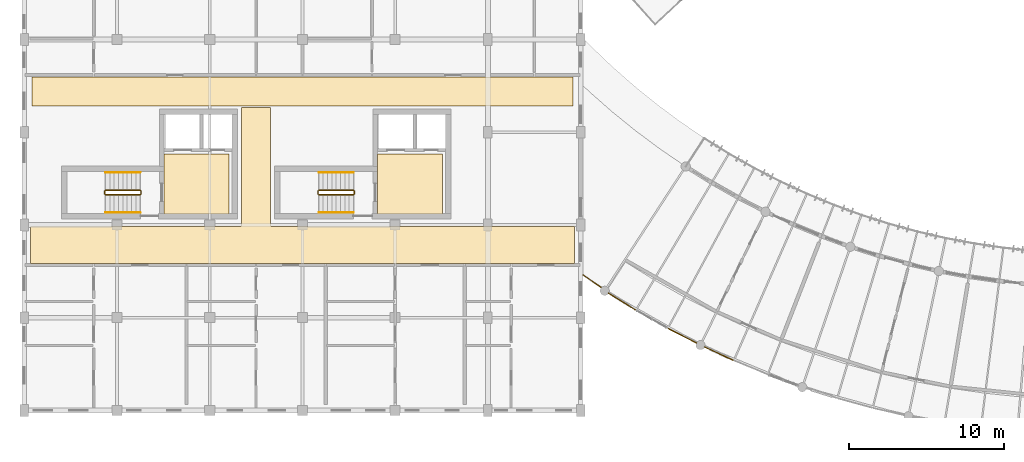
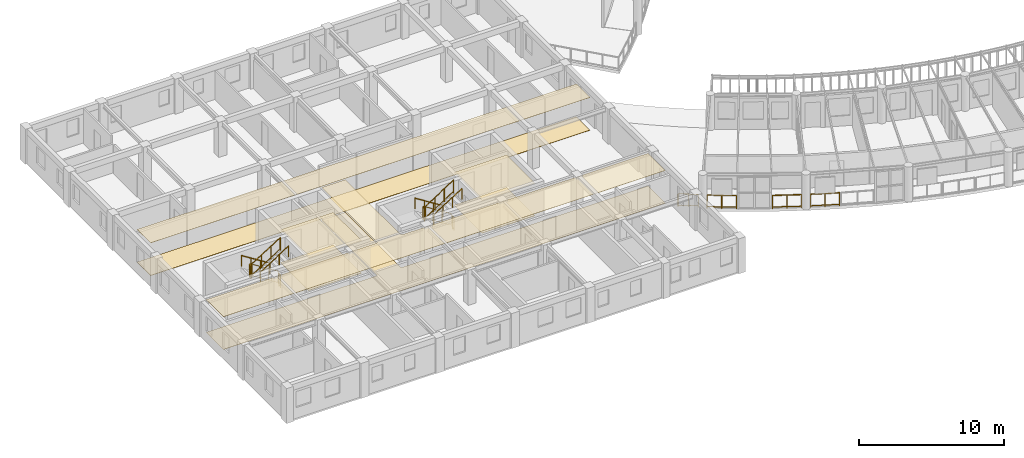
# One storey, part 88 of 100: 16 railings, 8 coverings.
"""IFC4 building model written with IfcOpenShell, lengths in metres."""

import ifcopenshell
import ifcopenshell.guid

model = None  # the IFC model being written
_history = None  # IfcOwnerHistory: only IFC2X3 demands one
_inside = {}  # id of a spatial element -> (the spatial element, [elements in it])
_under = {}  # id of a project, library or spatial element -> (it, [spatial elements below it])
_declared = {}  # id of a project -> (the project, [libraries it declares])
_typed = {}  # id of a type object -> (the type object, [elements of that type])
_made_of = {}  # id of a material, layer set ... -> (it, [elements and type objects made of it])


def new_model(schema):
    """Start an empty IFC model of exactly this schema.

    Asked for "IFC4X3", IfcOpenShell would pick the latest addendum, in which some entities
    have other attributes; the version numbers below select the first issue.
    IFC2X3 requires an IfcOwnerHistory on every rooted entity: one is made here for all.
    """
    global model, _history
    if schema == "IFC4X3":
        model = ifcopenshell.file(schema_version=(4, 3, 0, 0))
    else:
        model = ifcopenshell.file(schema=schema)
    _inside.clear()
    _under.clear()
    _declared.clear()
    _typed.clear()
    _made_of.clear()
    _history = None
    if model.schema == "IFC2X3":
        org = make("IfcOrganization", Name="unknown")
        user = make(
            "IfcPersonAndOrganization",
            ThePerson=make("IfcPerson", FamilyName="unknown"),
            TheOrganization=org,
        )
        app = make(
            "IfcApplication",
            ApplicationDeveloper=org,
            Version="unknown",
            ApplicationFullName="unknown",
            ApplicationIdentifier="unknown",
        )
        _history = make(
            "IfcOwnerHistory",
            OwningUser=user,
            OwningApplication=app,
            ChangeAction="ADDED",
            CreationDate=0,
        )
    return model


def make(cls, **values):
    """One entity of the class cls with the attributes given. An attribute that is None is left unset."""
    return model.create_entity(
        cls, **{name: value for name, value in values.items() if value is not None}
    )


def rooted(cls, **values):
    """An entity with a GlobalId (a new one), such as an element, a storey or a relation."""
    return make(cls, GlobalId=ifcopenshell.guid.new(), OwnerHistory=_history, **values)


def si_unit(unit_type, name, prefix=None):
    """IfcSIUnit, for example si_unit("LENGTHUNIT", "METRE", prefix="MILLI")."""
    return make("IfcSIUnit", UnitType=unit_type, Prefix=prefix, Name=name)


def assignment(units):
    """IfcUnitAssignment: the units of a project."""
    return None if units is None else make("IfcUnitAssignment", Units=units)


def point(xyz):
    """IfcCartesianPoint."""
    return None if xyz is None else make("IfcCartesianPoint", Coordinates=xyz)


def direction(xyz):
    """IfcDirection."""
    return None if xyz is None else make("IfcDirection", DirectionRatios=xyz)


def frame(location, z_axis=None, x_axis=None):
    """IfcAxis2Placement3D, a coordinate frame: its origin and axes. An axis left out is left unset."""
    return make(
        "IfcAxis2Placement3D",
        Location=point(location),
        Axis=direction(z_axis),
        RefDirection=direction(x_axis),
    )


def frame_2d(location, x_axis=None):
    """IfcAxis2Placement2D, a coordinate frame in the plane: its origin and x axis."""
    return make(
        "IfcAxis2Placement2D", Location=point(location), RefDirection=direction(x_axis)
    )


def origin():
    """The frame at (0, 0, 0) with its axes left unset."""
    return frame((0.0, 0.0, 0.0))


def origin_2d():
    """The frame at (0, 0) in the plane with its x axis left unset."""
    return frame_2d((0.0, 0.0))


def place(relative_to, where):
    """IfcLocalPlacement: puts the frame where relative to a parent placement (None: the world)."""
    return make(
        "IfcLocalPlacement", PlacementRelTo=relative_to, RelativePlacement=where
    )


def context(
    kind, dimensions, precision=None, world=None, true_north=None, identifier=None
):
    """IfcGeometricRepresentationContext, for example the 3D "Model" context."""
    return make(
        "IfcGeometricRepresentationContext",
        ContextIdentifier=identifier,
        ContextType=kind,
        CoordinateSpaceDimension=dimensions,
        Precision=precision,
        WorldCoordinateSystem=world,
        TrueNorth=true_north,
    )


def subcontext(parent, identifier, kind, view, scale=None):
    """IfcGeometricRepresentationSubContext, for example "Body" below "Model"."""
    return make(
        "IfcGeometricRepresentationSubContext",
        ContextIdentifier=identifier,
        ContextType=kind,
        ParentContext=parent,
        TargetScale=scale,
        TargetView=view,
    )


def project(units=None, contexts=None):
    """IfcProject with its units and contexts."""
    return rooted(
        "IfcProject",
        Name="project",
        RepresentationContexts=contexts,
        UnitsInContext=assignment(units),
    )


def spatial(cls, under=None, at=None, **own):
    """A site, building, storey or space (cls), placed at a placement, below another one or the project."""
    s = rooted(cls, ObjectPlacement=at, **own)
    if under is not None:
        _under.setdefault(under.id(), (under, []))[1].append(s)
    return s


def polyline(points):
    """IfcPolyline through the points."""
    return make("IfcPolyline", Points=[point(p) for p in points])


def profile(cls, at=None, kind="AREA", **sizes):
    """A parametric profile (cls). Its sizes go by their IFC names, for example OverallWidth=200.0."""
    return make(cls, ProfileType=kind, Position=at, **sizes)


def circle(**sizes):
    """IfcCircleProfileDef."""
    return profile("IfcCircleProfileDef", **sizes)


def outline(outer, holes=None, kind="AREA"):
    """IfcArbitraryClosedProfileDef: a profile drawn as a closed curve; with holes, ...WithVoids."""
    if holes is None:
        return make("IfcArbitraryClosedProfileDef", ProfileType=kind, OuterCurve=outer)
    return make(
        "IfcArbitraryProfileDefWithVoids",
        ProfileType=kind,
        OuterCurve=outer,
        InnerCurves=holes,
    )


def extrude(swept, where, along, depth):
    """IfcExtrudedAreaSolid: the profile swept, set in the frame where, extruded along a direction by depth."""
    return make(
        "IfcExtrudedAreaSolid",
        SweptArea=swept,
        Position=where,
        ExtrudedDirection=direction(along),
        Depth=depth,
    )


def shape(context_of_items, identifier, shape_type, items):
    """IfcShapeRepresentation: the items that make up one representation, for example the "Body"."""
    return make(
        "IfcShapeRepresentation",
        ContextOfItems=context_of_items,
        RepresentationIdentifier=identifier,
        RepresentationType=shape_type,
        Items=items,
    )


def material(Name=None, Category=None):
    """IfcMaterial."""
    return make("IfcMaterial", Name=Name, Category=Category)


def layer(
    of_material, thickness, ventilated=None, Name=None, Category=None, Priority=None
):
    """IfcMaterialLayer: one layer of a wall or slab, of a material (None: an air gap)."""
    return make(
        "IfcMaterialLayer",
        Material=of_material,
        LayerThickness=thickness,
        IsVentilated=ventilated,
        Name=Name,
        Category=Category,
        Priority=Priority,
    )


def layer_set(layers, Name=None):
    """IfcMaterialLayerSet."""
    return make("IfcMaterialLayerSet", MaterialLayers=layers, LayerSetName=Name)


def made_of(thing, what):
    """Note that an element or type object is made of a material, layer set ...; save() writes the relation."""
    if what is not None:
        _made_of.setdefault(what.id(), (what, []))[1].append(thing)
    return thing


def type_object(cls, material=None, **own):
    """A type object (cls), such as IfcWallType, which elements share."""
    return made_of(rooted(cls, **own), material)


def element(
    cls,
    number,
    at=None,
    inside=None,
    cuts=None,
    type_object=None,
    material=None,
    context=None,
    identifier="Body",
    shape_type=None,
    held_by="IfcProductDefinitionShape",
    body=None,
    shapes=None,
    **own,
):
    """One element of the class cls, such as IfcWall. Its Tag is "e" and its number.

    at: its placement. inside: the storey or other place that contains it. cuts: it is an
    opening in that element (IfcRelVoidsElement). A single representation is given by context,
    identifier, shape_type and body (its items); several are given by shapes. held_by: the class
    of the entity that holds the representations. save() writes the other relations.
    """
    e = rooted(cls, Tag="e%d" % number, ObjectPlacement=at, **own)
    if body is not None:
        shapes = [shape(context, identifier, shape_type, body)]
    if shapes is not None:
        e.Representation = make(held_by, Representations=shapes)
    if inside is not None:
        _inside.setdefault(inside.id(), (inside, []))[1].append(e)
    if cuts is not None:
        rooted(
            "IfcRelVoidsElement", RelatingBuildingElement=cuts, RelatedOpeningElement=e
        )
    if type_object is not None:
        _typed.setdefault(type_object.id(), (type_object, []))[1].append(e)
    return made_of(e, material)


def aggregate(whole, parts):
    """IfcRelAggregates: a whole, such as a stair, and the parts it consists of."""
    return rooted("IfcRelAggregates", RelatingObject=whole, RelatedObjects=parts)


def save(model, path):
    """Write the relations noted so far, then the file.

    IfcRelAggregates (storeys below a building ...), IfcRelContainedInSpatialStructure (elements
    in a storey), IfcRelDefinesByType, IfcRelAssociatesMaterial and IfcRelDeclares: one each for
    every whole, place, type object, material and project.
    """
    for whole, parts in _under.values():
        aggregate(whole, parts)
    for where, things in _inside.values():
        rooted(
            "IfcRelContainedInSpatialStructure",
            RelatedElements=things,
            RelatingStructure=where,
        )
    for kind, things in _typed.values():
        rooted("IfcRelDefinesByType", RelatedObjects=things, RelatingType=kind)
    for what, things in _made_of.values():
        rooted("IfcRelAssociatesMaterial", RelatedObjects=things, RelatingMaterial=what)
    for by, libraries in _declared.values():
        rooted("IfcRelDeclares", RelatingContext=by, RelatedDefinitions=libraries)
    model.write(path)


model = new_model("IFC4")

# Units and contexts
model_context = context("Model", 3, precision=1e-05, world=origin(), true_north=direction((0.0, 1.0)))
body_context = subcontext(model_context, "Body", "Model", "MODEL_VIEW")
ifc_project = project(units=[si_unit("LENGTHUNIT", "METRE"), si_unit("AREAUNIT", "SQUARE_METRE"), si_unit("VOLUMEUNIT", "CUBIC_METRE"), si_unit("PLANEANGLEUNIT", "RADIAN"), si_unit("MASSUNIT", "GRAM", prefix="KILO"), si_unit("POWERUNIT", "WATT"), si_unit("THERMODYNAMICTEMPERATUREUNIT", "KELVIN")], contexts=[model_context])

# Site, building, storey
site_placement = place(None, origin())
site = spatial("IfcSite", under=ifc_project, at=site_placement, CompositionType="ELEMENT")
building_placement = place(site_placement, origin())
building = spatial("IfcBuilding", under=site, at=building_placement, Name="Ruvembo Vaulted Housing Court", CompositionType="ELEMENT")
storey_placement = place(building_placement, frame((0.0, 0.0, 14.10009765625)))
storey = spatial("IfcBuildingStorey", under=building, at=storey_placement, Name="L04", CompositionType="ELEMENT", Elevation=14.10009765625)

# Coverings
ifc_material_1 = material(Name="Perforated Mineral-Fibre Acoustic Tile", Category="gypsum")
ifc_layer_1 = layer(ifc_material_1, 0.02001953125, Name="Perforated Mineral-Fibre Acoustic Tile")
ifc_layer_set_1 = layer_set([ifc_layer_1], Name="Perforated Mineral-Fibre Acoustic Tile")
covering_type_1 = type_object("IfcCoveringType", Name="COV-CEIL-ACOUST", PredefinedType="CEILING", material=ifc_layer_set_1)
covering_1_placement = place(storey_placement, frame((0.0, 0.0, 2.75)))
element("IfcCovering", 1, at=covering_1_placement, inside=storey, type_object=covering_type_1, Name="Firefighting Lift Lobby A1 Ceiling", PredefinedType="CEILING", context=body_context, shape_type="SweptSolid", body=[
    extrude(outline(polyline([(13.25, 22.60009765625), (9.050048828125, 22.60009765625), (9.050048828125, 18.699951171875), (13.25, 18.699951171875), (13.25, 22.60009765625)])), origin(), (0.0, 0.0, 1.0), 0.02001953125),
])
covering_2_placement = place(storey_placement, frame((0.0, 0.0, 2.75)))
element("IfcCovering", 2, at=covering_2_placement, inside=storey, type_object=covering_type_1, Name="Firefighting Lift Lobby A2 Ceiling", PredefinedType="CEILING", context=body_context, shape_type="SweptSolid", body=[
    extrude(outline(polyline([(27.050048828125, 22.60009765625), (22.85009765625, 22.60009765625), (22.85009765625, 18.699951171875), (27.050048828125, 18.699951171875), (27.050048828125, 22.60009765625)])), origin(), (0.0, 0.0, 1.0), 0.02001953125),
])
covering_3_placement = place(storey_placement, frame((0.0, 0.0, 2.75)))
element("IfcCovering", 3, at=covering_3_placement, inside=storey, type_object=covering_type_1, Name="Block A L04 Corridor Ceiling", PredefinedType="CEILING", context=body_context, shape_type="SweptSolid", body=[
    extrude(outline(polyline([(35.590087890625, 15.510009765625), (35.590087890625, 17.889892578125), (16.050048828125, 17.889892578125), (16.039306640625, 17.890380859375), (16.028564453125, 17.89208984375), (16.01806640625, 17.894775390625), (16.0078125, 17.8984375), (15.998046875, 17.903076171875), (15.989013671875, 17.908447265625), (15.980224609375, 17.9150390625), (15.97216796875, 17.922119140625), (15.965087890625, 17.93017578125), (15.95849609375, 17.93896484375), (15.952880859375, 17.947998046875), (15.948486328125, 17.9580078125), (15.944580078125, 17.968017578125), (15.942138671875, 17.978515625), (15.9404296875, 17.9892578125), (15.93994140625, 18.0), (15.93994140625, 25.590087890625), (14.06005859375, 25.590087890625), (14.06005859375, 18.0), (14.0595703125, 17.9892578125), (14.057861328125, 17.978515625), (14.055419921875, 17.968017578125), (14.051513671875, 17.9580078125), (14.047119140625, 17.947998046875), (14.04150390625, 17.93896484375), (14.034912109375, 17.93017578125), (14.02783203125, 17.922119140625), (14.019775390625, 17.9150390625), (14.010986328125, 17.908447265625), (14.001953125, 17.903076171875), (13.9921875, 17.8984375), (13.98193359375, 17.894775390625), (13.971435546875, 17.89208984375), (13.960693359375, 17.890380859375), (13.949951171875, 17.889892578125), (0.409912109375, 17.889892578125), (0.409912109375, 15.510009765625), (35.590087890625, 15.510009765625)])), origin(), (0.0, 0.0, 1.0), 0.02001953125),
])
covering_4_placement = place(storey_placement, frame((0.0, 0.0, 2.75)))
element("IfcCovering", 4, at=covering_4_placement, inside=storey, type_object=covering_type_1, Name="Block A L04 North Sub-Corridor Ceiling", PredefinedType="CEILING", context=body_context, shape_type="SweptSolid", body=[
    extrude(outline(polyline([(0.510009765625, 25.7099609375), (35.489990234375, 25.7099609375), (35.489990234375, 27.590087890625), (0.510009765625, 27.590087890625), (0.510009765625, 25.7099609375)])), origin(), (0.0, 0.0, 1.0), 0.02001953125),
])
ifc_material_2 = material(Name="Polished Cement-Aggregate Terrazzo", Category="stone")
ifc_layer_2 = layer(ifc_material_2, 0.02197265625, Name="Polished Cement-Aggregate Terrazzo")
ifc_layer_set_2 = layer_set([ifc_layer_2], Name="Polished Cement-Aggregate Terrazzo")
covering_type_2 = type_object("IfcCoveringType", Name="COV-FLR-CERAMIC", PredefinedType="FLOORING", material=ifc_layer_set_2)
covering_5_placement = place(storey_placement, origin())
element("IfcCovering", 5, at=covering_5_placement, inside=storey, type_object=covering_type_2, Name="Firefighting Lift Lobby A1 Flooring", PredefinedType="FLOORING", context=body_context, shape_type="SweptSolid", body=[
    extrude(outline(polyline([(13.25, 22.60009765625), (9.050048828125, 22.60009765625), (9.050048828125, 18.699951171875), (13.25, 18.699951171875), (13.25, 22.60009765625)])), origin(), (0.0, 0.0, 1.0), 0.02197265625),
])
covering_6_placement = place(storey_placement, origin())
element("IfcCovering", 6, at=covering_6_placement, inside=storey, type_object=covering_type_2, Name="Firefighting Lift Lobby A2 Flooring", PredefinedType="FLOORING", context=body_context, shape_type="SweptSolid", body=[
    extrude(outline(polyline([(27.050048828125, 22.60009765625), (22.85009765625, 22.60009765625), (22.85009765625, 18.699951171875), (27.050048828125, 18.699951171875), (27.050048828125, 22.60009765625)])), origin(), (0.0, 0.0, 1.0), 0.02197265625),
])
covering_7_placement = place(storey_placement, origin())
element("IfcCovering", 7, at=covering_7_placement, inside=storey, type_object=covering_type_2, Name="Block A L04 Corridor Flooring", PredefinedType="FLOORING", context=body_context, shape_type="SweptSolid", body=[
    extrude(outline(polyline([(35.590087890625, 15.510009765625), (35.590087890625, 17.889892578125), (16.050048828125, 17.889892578125), (16.039306640625, 17.890380859375), (16.028564453125, 17.89208984375), (16.01806640625, 17.894775390625), (16.0078125, 17.8984375), (15.998046875, 17.903076171875), (15.989013671875, 17.908447265625), (15.980224609375, 17.9150390625), (15.97216796875, 17.922119140625), (15.965087890625, 17.93017578125), (15.95849609375, 17.93896484375), (15.952880859375, 17.947998046875), (15.948486328125, 17.9580078125), (15.944580078125, 17.968017578125), (15.942138671875, 17.978515625), (15.9404296875, 17.9892578125), (15.93994140625, 18.0), (15.93994140625, 25.590087890625), (14.06005859375, 25.590087890625), (14.06005859375, 18.0), (14.0595703125, 17.9892578125), (14.057861328125, 17.978515625), (14.055419921875, 17.968017578125), (14.051513671875, 17.9580078125), (14.047119140625, 17.947998046875), (14.04150390625, 17.93896484375), (14.034912109375, 17.93017578125), (14.02783203125, 17.922119140625), (14.019775390625, 17.9150390625), (14.010986328125, 17.908447265625), (14.001953125, 17.903076171875), (13.9921875, 17.8984375), (13.98193359375, 17.894775390625), (13.971435546875, 17.89208984375), (13.960693359375, 17.890380859375), (13.949951171875, 17.889892578125), (0.409912109375, 17.889892578125), (0.409912109375, 15.510009765625), (35.590087890625, 15.510009765625)])), origin(), (0.0, 0.0, 1.0), 0.02197265625),
])
covering_8_placement = place(storey_placement, origin())
element("IfcCovering", 8, at=covering_8_placement, inside=storey, type_object=covering_type_2, Name="Block A L04 North Sub-Corridor Flooring", PredefinedType="FLOORING", context=body_context, shape_type="SweptSolid", body=[
    extrude(outline(polyline([(0.510009765625, 25.7099609375), (35.489990234375, 25.7099609375), (35.489990234375, 27.590087890625), (0.510009765625, 27.590087890625), (0.510009765625, 25.7099609375)])), origin(), (0.0, 0.0, 1.0), 0.02197265625),
])

# Railings
ifc_material_3 = material(Name="Galvanised Painted Steel and Laminated Glass", Category="steel")
ifc_layer_3 = layer(ifc_material_3, 0.070068359375, Name="Galvanised Painted Steel and Laminated Glass")
ifc_layer_set_3 = layer_set([ifc_layer_3], Name="Galvanised Painted Steel and Laminated Glass")
railing_type_1 = type_object("IfcRailingType", Name="RL-BALUST-1120", PredefinedType="BALUSTRADE", material=ifc_layer_set_3)
railing_1_placement = place(storey_placement, frame((37.806884765625, 13.583740234375, 0.0)))
element("IfcRailing", 9, at=railing_1_placement, inside=storey, type_object=railing_type_1, Name="L04 Perimeter Guard RL-EXT-L04-0422", PredefinedType="BALUSTRADE", context=body_context, shape_type="SweptSolid", body=[
    extrude(circle(Radius=0.02392578125, at=origin_2d()), frame((0.0, 0.0, 1.09619140625), z_axis=(0.848924451605, -0.528514215009, 0.0), x_axis=(0.528514215009, 0.848924451605, 0.0)), (0.0, 0.0, 1.0), 2.026123046875),
    extrude(circle(Radius=0.01806640625, at=origin_2d()), frame((0.0, 0.0, 0.1201171875), z_axis=(0.848924451605, -0.528514215009, 0.0), x_axis=(0.528514215009, 0.848924451605, 0.0)), (0.0, 0.0, 1.0), 2.026123046875),
    extrude(circle(Radius=0.02099609375, at=origin_2d()), origin(), (0.0, 0.0, 1.0), 1.072021484375),
    extrude(circle(Radius=0.02099609375, at=origin_2d()), frame((0.85986328125, -0.535400390625, 0.0)), (0.0, 0.0, 1.0), 1.072021484375),
    extrude(circle(Radius=0.02099609375, at=origin_2d()), frame((1.719970703125, -1.07080078125, 0.0)), (0.0, 0.0, 1.0), 1.072021484375),
])
railing_2_placement = place(storey_placement, frame((41.6806640625, 11.2919921875, 0.0)))
element("IfcRailing", 10, at=railing_2_placement, inside=storey, type_object=railing_type_1, Name="L04 Perimeter Guard RL-EXT-L04-0423", PredefinedType="BALUSTRADE", context=body_context, shape_type="SweptSolid", body=[
    extrude(circle(Radius=0.02392578125, at=origin_2d()), frame((0.0, 0.0, 1.09619140625), z_axis=(0.889555106825, -0.456827879975, 0.0), x_axis=(0.456827879975, 0.889555106825, 0.0)), (0.0, 0.0, 1.0), 2.026123046875),
    extrude(circle(Radius=0.01806640625, at=origin_2d()), frame((0.0, 0.0, 0.1201171875), z_axis=(0.889555106825, -0.456827879975, 0.0), x_axis=(0.456827879975, 0.889555106825, 0.0)), (0.0, 0.0, 1.0), 2.026123046875),
    extrude(circle(Radius=0.02099609375, at=origin_2d()), origin(), (0.0, 0.0, 1.0), 1.072021484375),
    extrude(circle(Radius=0.02099609375, at=origin_2d()), frame((0.901123046875, -0.462890625, 0.0)), (0.0, 0.0, 1.0), 1.072021484375),
    extrude(circle(Radius=0.02099609375, at=origin_2d()), frame((1.80224609375, -0.925537109375, 0.0)), (0.0, 0.0, 1.0), 1.072021484375),
])
railing_3_placement = place(storey_placement, frame((44.022216796875, 10.103515625, 0.0)))
element("IfcRailing", 11, at=railing_3_placement, inside=storey, type_object=railing_type_1, Name="L04 Perimeter Guard RL-EXT-L04-0424", PredefinedType="BALUSTRADE", context=body_context, shape_type="SweptSolid", body=[
    extrude(circle(Radius=0.02392578125, at=origin_2d()), frame((0.0, 0.0, 1.09619140625), z_axis=(0.907652291294, -0.419722906343, 0.0), x_axis=(0.419722906343, 0.907652291294, 0.0)), (0.0, 0.0, 1.0), 2.02587890625),
    extrude(circle(Radius=0.01806640625, at=origin_2d()), frame((0.0, 0.0, 0.1201171875), z_axis=(0.907652291294, -0.419722906343, 0.0), x_axis=(0.419722906343, 0.907652291294, 0.0)), (0.0, 0.0, 1.0), 2.02587890625),
    extrude(circle(Radius=0.02099609375, at=origin_2d()), origin(), (0.0, 0.0, 1.0), 1.072021484375),
    extrude(circle(Radius=0.02099609375, at=origin_2d()), frame((0.91943359375, -0.42529296875, 0.0)), (0.0, 0.0, 1.0), 1.072021484375),
    extrude(circle(Radius=0.02099609375, at=origin_2d()), frame((1.8388671875, -0.850341796875, 0.0)), (0.0, 0.0, 1.0), 1.072021484375),
])
ifc_material_4 = material(Name="Galvanised Painted Steel S275", Category="steel")
ifc_layer_4 = layer(ifc_material_4, 0.06005859375, Name="Galvanised Painted Steel S275")
ifc_layer_set_4 = layer_set([ifc_layer_4], Name="Galvanised Painted Steel S275")
railing_type_2 = type_object("IfcRailingType", Name="RL-GUARD-1100", PredefinedType="GUARDRAIL", material=ifc_layer_set_4)
railing_4_placement = place(storey_placement, frame((37.322021484375, 13.9716796875, 0.0)))
element("IfcRailing", 12, at=railing_4_placement, inside=storey, type_object=railing_type_2, Name="L04 Perimeter Guard RL-EXT-L04-0914", PredefinedType="GUARDRAIL", context=body_context, shape_type="SweptSolid", body=[
    extrude(circle(Radius=0.02392578125, at=origin_2d()), frame((0.0, 0.0, 1.076171875), z_axis=(-0.826253217327, 0.563298873474, 0.0), x_axis=(-0.563298873474, -0.826253217327, 0.0)), (0.0, 0.0, 1.0), 1.397216796875),
    extrude(circle(Radius=0.01806640625, at=origin_2d()), frame((0.0, 0.0, 0.1201171875), z_axis=(-0.826253217327, 0.563298873474, 0.0), x_axis=(-0.563298873474, -0.826253217327, 0.0)), (0.0, 0.0, 1.0), 1.397216796875),
    extrude(circle(Radius=0.02099609375, at=origin_2d()), origin(), (0.0, 0.0, 1.0), 1.052001953125),
    extrude(circle(Radius=0.02099609375, at=origin_2d()), frame((-0.5771484375, 0.3935546875, 0.0)), (0.0, 0.0, 1.0), 1.052001953125),
    extrude(circle(Radius=0.02099609375, at=origin_2d()), frame((-1.154541015625, 0.787109375, 0.0)), (0.0, 0.0, 1.0), 1.052001953125),
])
ifc_material_5 = material(Name="Painted Galvanised Steel S275", Category="steel")
ifc_layer_5 = layer(ifc_material_5, 0.06005859375, Name="Painted Galvanised Steel S275")
ifc_layer_set_5 = layer_set([ifc_layer_5], Name="Painted Galvanised Steel S275")
railing_type_3 = type_object("IfcRailingType", Name="RL-STAIR-GR1100", PredefinedType="GUARDRAIL", material=ifc_layer_set_5)
railing_5_placement = place(storey_placement, frame((7.5, 20.25, 0.177734375)))
element("IfcRailing", 13, at=railing_5_placement, inside=storey, type_object=railing_type_3, Name="L04 ST-A1 stair guard 1", PredefinedType="GUARDRAIL", context=body_context, shape_type="SweptSolid", body=[
    extrude(circle(Radius=0.02392578125, at=origin_2d()), frame((0.0, 0.0, 1.076171875), z_axis=(-0.8442293374, 0.0, 0.53598211339), x_axis=(0.0, -1.0, 0.0)), (0.0, 0.0, 1.0), 2.6533203125),
    extrude(circle(Radius=0.01806640625, at=origin_2d()), frame((0.0, 0.0, 0.1201171875), z_axis=(-0.8442293374, 0.0, 0.53598211339), x_axis=(0.0, -1.0, 0.0)), (0.0, 0.0, 1.0), 2.6533203125),
    extrude(circle(Radius=0.02099609375, at=origin_2d()), origin(), (0.0, 0.0, 1.0), 1.052001953125),
    extrude(circle(Radius=0.02099609375, at=origin_2d()), frame((-0.74658203125, 0.0, 0.47412109375)), (0.0, 0.0, 1.0), 1.052001953125),
    extrude(circle(Radius=0.02099609375, at=origin_2d()), frame((-1.493408203125, 0.0, 0.947998046875)), (0.0, 0.0, 1.0), 1.052001953125),
    extrude(circle(Radius=0.02099609375, at=origin_2d()), frame((-2.239990234375, 0.0, 1.422119140625)), (0.0, 0.0, 1.0), 1.052001953125),
])
railing_6_placement = place(storey_placement, frame((5.2099609375, 20.199951171875, 1.599853515625)))
element("IfcRailing", 14, at=railing_6_placement, inside=storey, type_object=railing_type_3, Name="L04 ST-A1 stair guard 2", PredefinedType="GUARDRAIL", context=body_context, shape_type="SweptSolid", body=[
    extrude(circle(Radius=0.02392578125, at=origin_2d()), frame((0.0, 0.0, 1.076171875), z_axis=(0.0, -1.0, 0.0), x_axis=(1.0, 0.0, 0.0)), (0.0, 0.0, 1.0), 0.199951171875),
    extrude(circle(Radius=0.01806640625, at=origin_2d()), frame((0.0, 0.0, 0.1201171875), z_axis=(0.0, -1.0, 0.0), x_axis=(1.0, 0.0, 0.0)), (0.0, 0.0, 1.0), 0.199951171875),
    extrude(circle(Radius=0.02099609375, at=origin_2d()), origin(), (0.0, 0.0, 1.0), 1.052001953125),
    extrude(circle(Radius=0.02099609375, at=origin_2d()), frame((0.0, -0.199951171875, 0.0)), (0.0, 0.0, 1.0), 1.052001953125),
])
railing_7_placement = place(storey_placement, frame((5.260009765625, 19.949951171875, 1.777587890625)))
element("IfcRailing", 15, at=railing_7_placement, inside=storey, type_object=railing_type_3, Name="L04 ST-A1 stair guard 3", PredefinedType="GUARDRAIL", context=body_context, shape_type="SweptSolid", body=[
    extrude(circle(Radius=0.02392578125, at=origin_2d()), frame((0.0, 0.0, 1.076171875), z_axis=(0.84418770128, 0.0, 0.536047689118), x_axis=(0.0, 1.0, 0.0)), (0.0, 0.0, 1.0), 2.6533203125),
    extrude(circle(Radius=0.01806640625, at=origin_2d()), frame((0.0, 0.0, 0.1201171875), z_axis=(0.84418770128, 0.0, 0.536047689118), x_axis=(0.0, 1.0, 0.0)), (0.0, 0.0, 1.0), 2.6533203125),
    extrude(circle(Radius=0.02099609375, at=origin_2d()), origin(), (0.0, 0.0, 1.0), 1.052001953125),
    extrude(circle(Radius=0.02099609375, at=origin_2d()), frame((0.74658203125, 0.0, 0.47412109375)), (0.0, 0.0, 1.0), 1.052001953125),
    extrude(circle(Radius=0.02099609375, at=origin_2d()), frame((1.493408203125, 0.0, 0.9482421875)), (0.0, 0.0, 1.0), 1.052001953125),
    extrude(circle(Radius=0.02099609375, at=origin_2d()), frame((2.239990234375, 0.0, 1.42236328125)), (0.0, 0.0, 1.0), 1.052001953125),
])
railing_8_placement = place(storey_placement, frame((7.550048828125, 20.199951171875, 0.0)))
element("IfcRailing", 16, at=railing_8_placement, inside=storey, type_object=railing_type_3, Name="L04 ST-A1 stair guard 4", PredefinedType="GUARDRAIL", context=body_context, shape_type="SweptSolid", body=[
    extrude(circle(Radius=0.02392578125, at=origin_2d()), frame((0.0, 0.0, 1.076171875), z_axis=(0.0, -1.0, 0.0), x_axis=(1.0, 0.0, 0.0)), (0.0, 0.0, 1.0), 0.199951171875),
    extrude(circle(Radius=0.01806640625, at=origin_2d()), frame((0.0, 0.0, 0.1201171875), z_axis=(0.0, -1.0, 0.0), x_axis=(1.0, 0.0, 0.0)), (0.0, 0.0, 1.0), 0.199951171875),
    extrude(circle(Radius=0.02099609375, at=origin_2d()), origin(), (0.0, 0.0, 1.0), 1.052001953125),
    extrude(circle(Radius=0.02099609375, at=origin_2d()), frame((0.0, -0.199951171875, 0.0)), (0.0, 0.0, 1.0), 1.052001953125),
])
railing_9_placement = place(storey_placement, frame((21.300048828125, 20.25, 0.177734375)))
element("IfcRailing", 17, at=railing_9_placement, inside=storey, type_object=railing_type_3, Name="L04 ST-A2 stair guard 1", PredefinedType="GUARDRAIL", context=body_context, shape_type="SweptSolid", body=[
    extrude(circle(Radius=0.02392578125, at=origin_2d()), frame((0.0, 0.0, 1.076171875), z_axis=(-0.8442293374, 0.0, 0.53598211339), x_axis=(0.0, -1.0, 0.0)), (0.0, 0.0, 1.0), 2.6533203125),
    extrude(circle(Radius=0.01806640625, at=origin_2d()), frame((0.0, 0.0, 0.1201171875), z_axis=(-0.8442293374, 0.0, 0.53598211339), x_axis=(0.0, -1.0, 0.0)), (0.0, 0.0, 1.0), 2.6533203125),
    extrude(circle(Radius=0.02099609375, at=origin_2d()), origin(), (0.0, 0.0, 1.0), 1.052001953125),
    extrude(circle(Radius=0.02099609375, at=origin_2d()), frame((-0.74658203125, 0.0, 0.47412109375)), (0.0, 0.0, 1.0), 1.052001953125),
    extrude(circle(Radius=0.02099609375, at=origin_2d()), frame((-1.493408203125, 0.0, 0.947998046875)), (0.0, 0.0, 1.0), 1.052001953125),
    extrude(circle(Radius=0.02099609375, at=origin_2d()), frame((-2.239990234375, 0.0, 1.422119140625)), (0.0, 0.0, 1.0), 1.052001953125),
])
railing_10_placement = place(storey_placement, frame((19.010009765625, 20.199951171875, 1.599853515625)))
element("IfcRailing", 18, at=railing_10_placement, inside=storey, type_object=railing_type_3, Name="L04 ST-A2 stair guard 2", PredefinedType="GUARDRAIL", context=body_context, shape_type="SweptSolid", body=[
    extrude(circle(Radius=0.02392578125, at=origin_2d()), frame((0.0, 0.0, 1.076171875), z_axis=(0.0, -1.0, 0.0), x_axis=(1.0, 0.0, 0.0)), (0.0, 0.0, 1.0), 0.199951171875),
    extrude(circle(Radius=0.01806640625, at=origin_2d()), frame((0.0, 0.0, 0.1201171875), z_axis=(0.0, -1.0, 0.0), x_axis=(1.0, 0.0, 0.0)), (0.0, 0.0, 1.0), 0.199951171875),
    extrude(circle(Radius=0.02099609375, at=origin_2d()), origin(), (0.0, 0.0, 1.0), 1.052001953125),
    extrude(circle(Radius=0.02099609375, at=origin_2d()), frame((0.0, -0.199951171875, 0.0)), (0.0, 0.0, 1.0), 1.052001953125),
])
railing_11_placement = place(storey_placement, frame((19.06005859375, 19.949951171875, 1.777587890625)))
element("IfcRailing", 19, at=railing_11_placement, inside=storey, type_object=railing_type_3, Name="L04 ST-A2 stair guard 3", PredefinedType="GUARDRAIL", context=body_context, shape_type="SweptSolid", body=[
    extrude(circle(Radius=0.02392578125, at=origin_2d()), frame((0.0, 0.0, 1.076171875), z_axis=(0.84418770128, 0.0, 0.536047689118), x_axis=(0.0, 1.0, 0.0)), (0.0, 0.0, 1.0), 2.6533203125),
    extrude(circle(Radius=0.01806640625, at=origin_2d()), frame((0.0, 0.0, 0.1201171875), z_axis=(0.84418770128, 0.0, 0.536047689118), x_axis=(0.0, 1.0, 0.0)), (0.0, 0.0, 1.0), 2.6533203125),
    extrude(circle(Radius=0.02099609375, at=origin_2d()), origin(), (0.0, 0.0, 1.0), 1.052001953125),
    extrude(circle(Radius=0.02099609375, at=origin_2d()), frame((0.74658203125, 0.0, 0.47412109375)), (0.0, 0.0, 1.0), 1.052001953125),
    extrude(circle(Radius=0.02099609375, at=origin_2d()), frame((1.493408203125, 0.0, 0.9482421875)), (0.0, 0.0, 1.0), 1.052001953125),
    extrude(circle(Radius=0.02099609375, at=origin_2d()), frame((2.239990234375, 0.0, 1.42236328125)), (0.0, 0.0, 1.0), 1.052001953125),
])
railing_12_placement = place(storey_placement, frame((21.35009765625, 20.199951171875, 0.0)))
element("IfcRailing", 20, at=railing_12_placement, inside=storey, type_object=railing_type_3, Name="L04 ST-A2 stair guard 4", PredefinedType="GUARDRAIL", context=body_context, shape_type="SweptSolid", body=[
    extrude(circle(Radius=0.02392578125, at=origin_2d()), frame((0.0, 0.0, 1.076171875), z_axis=(0.0, -1.0, 0.0), x_axis=(1.0, 0.0, 0.0)), (0.0, 0.0, 1.0), 0.199951171875),
    extrude(circle(Radius=0.01806640625, at=origin_2d()), frame((0.0, 0.0, 0.1201171875), z_axis=(0.0, -1.0, 0.0), x_axis=(1.0, 0.0, 0.0)), (0.0, 0.0, 1.0), 0.199951171875),
    extrude(circle(Radius=0.02099609375, at=origin_2d()), origin(), (0.0, 0.0, 1.0), 1.052001953125),
    extrude(circle(Radius=0.02099609375, at=origin_2d()), frame((0.0, -0.199951171875, 0.0)), (0.0, 0.0, 1.0), 1.052001953125),
])
ifc_material_6 = material(Name="Brushed Stainless Steel 304", Category="steel")
ifc_layer_6 = layer(ifc_material_6, 0.050048828125, Name="Brushed Stainless Steel 304")
ifc_layer_set_6 = layer_set([ifc_layer_6], Name="Brushed Stainless Steel 304")
railing_type_4 = type_object("IfcRailingType", Name="RL-STAIR-HR920", PredefinedType="HANDRAIL", material=ifc_layer_set_6)
railing_13_placement = place(storey_placement, frame((7.5, 21.39990234375, 0.359130859375)))
element("IfcRailing", 21, at=railing_13_placement, inside=storey, type_object=railing_type_4, Name="L04 ST-A1 stair handrail 1", PredefinedType="HANDRAIL", context=body_context, shape_type="SweptSolid", body=[
    extrude(circle(Radius=0.02392578125, at=origin_2d()), frame((0.0, 0.0, 0.8759765625), z_axis=(-0.84418770128, 0.0, 0.536047689118), x_axis=(0.0, -1.0, 0.0)), (0.0, 0.0, 1.0), 2.6533203125),
    extrude(circle(Radius=0.02099609375, at=origin_2d()), origin(), (0.0, 0.0, 1.0), 0.851806640625),
    extrude(circle(Radius=0.02099609375, at=origin_2d()), frame((-0.74658203125, 0.0, 0.47412109375)), (0.0, 0.0, 1.0), 0.851806640625),
    extrude(circle(Radius=0.02099609375, at=origin_2d()), frame((-1.493408203125, 0.0, 0.9482421875)), (0.0, 0.0, 1.0), 0.851806640625),
    extrude(circle(Radius=0.02099609375, at=origin_2d()), frame((-2.239990234375, 0.0, 1.42236328125)), (0.0, 0.0, 1.0), 0.851806640625),
])
railing_14_placement = place(storey_placement, frame((5.260009765625, 18.800048828125, 1.959228515625)))
element("IfcRailing", 22, at=railing_14_placement, inside=storey, type_object=railing_type_4, Name="L04 ST-A1 stair handrail 2", PredefinedType="HANDRAIL", context=body_context, shape_type="SweptSolid", body=[
    extrude(circle(Radius=0.02392578125, at=origin_2d()), frame((0.0, 0.0, 0.8759765625), z_axis=(0.8442293374, 0.0, 0.53598211339), x_axis=(0.0, 1.0, 0.0)), (0.0, 0.0, 1.0), 2.6533203125),
    extrude(circle(Radius=0.02099609375, at=origin_2d()), origin(), (0.0, 0.0, 1.0), 0.851806640625),
    extrude(circle(Radius=0.02099609375, at=origin_2d()), frame((0.74658203125, 0.0, 0.47412109375)), (0.0, 0.0, 1.0), 0.851806640625),
    extrude(circle(Radius=0.02099609375, at=origin_2d()), frame((1.493408203125, 0.0, 0.947998046875)), (0.0, 0.0, 1.0), 0.851806640625),
    extrude(circle(Radius=0.02099609375, at=origin_2d()), frame((2.239990234375, 0.0, 1.422119140625)), (0.0, 0.0, 1.0), 0.851806640625),
])
railing_15_placement = place(storey_placement, frame((21.300048828125, 21.39990234375, 0.359130859375)))
element("IfcRailing", 23, at=railing_15_placement, inside=storey, type_object=railing_type_4, Name="L04 ST-A2 stair handrail 1", PredefinedType="HANDRAIL", context=body_context, shape_type="SweptSolid", body=[
    extrude(circle(Radius=0.02392578125, at=origin_2d()), frame((0.0, 0.0, 0.8759765625), z_axis=(-0.84418770128, 0.0, 0.536047689118), x_axis=(0.0, -1.0, 0.0)), (0.0, 0.0, 1.0), 2.6533203125),
    extrude(circle(Radius=0.02099609375, at=origin_2d()), origin(), (0.0, 0.0, 1.0), 0.851806640625),
    extrude(circle(Radius=0.02099609375, at=origin_2d()), frame((-0.74658203125, 0.0, 0.47412109375)), (0.0, 0.0, 1.0), 0.851806640625),
    extrude(circle(Radius=0.02099609375, at=origin_2d()), frame((-1.493408203125, 0.0, 0.9482421875)), (0.0, 0.0, 1.0), 0.851806640625),
    extrude(circle(Radius=0.02099609375, at=origin_2d()), frame((-2.239990234375, 0.0, 1.42236328125)), (0.0, 0.0, 1.0), 0.851806640625),
])
railing_16_placement = place(storey_placement, frame((19.06005859375, 18.800048828125, 1.959228515625)))
element("IfcRailing", 24, at=railing_16_placement, inside=storey, type_object=railing_type_4, Name="L04 ST-A2 stair handrail 2", PredefinedType="HANDRAIL", context=body_context, shape_type="SweptSolid", body=[
    extrude(circle(Radius=0.02392578125, at=origin_2d()), frame((0.0, 0.0, 0.8759765625), z_axis=(0.8442293374, 0.0, 0.53598211339), x_axis=(0.0, 1.0, 0.0)), (0.0, 0.0, 1.0), 2.6533203125),
    extrude(circle(Radius=0.02099609375, at=origin_2d()), origin(), (0.0, 0.0, 1.0), 0.851806640625),
    extrude(circle(Radius=0.02099609375, at=origin_2d()), frame((0.74658203125, 0.0, 0.47412109375)), (0.0, 0.0, 1.0), 0.851806640625),
    extrude(circle(Radius=0.02099609375, at=origin_2d()), frame((1.493408203125, 0.0, 0.947998046875)), (0.0, 0.0, 1.0), 0.851806640625),
    extrude(circle(Radius=0.02099609375, at=origin_2d()), frame((2.239990234375, 0.0, 1.422119140625)), (0.0, 0.0, 1.0), 0.851806640625),
])

save(model, "model.ifc")
